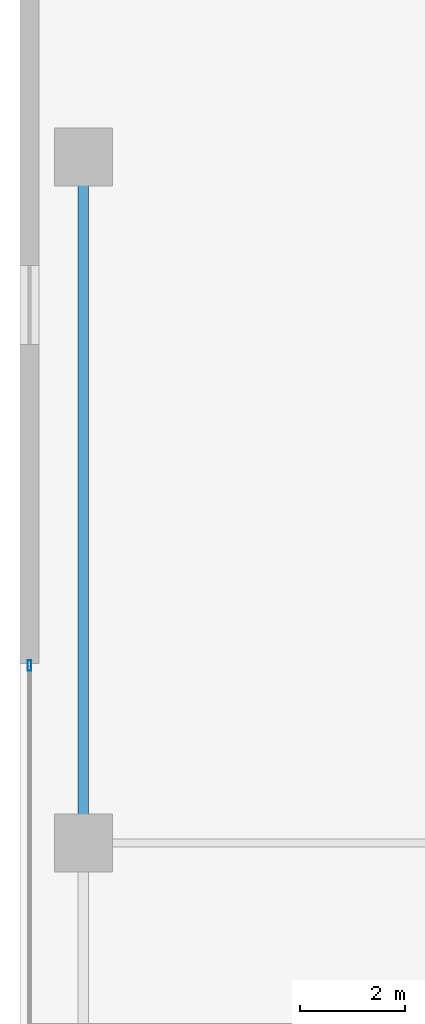
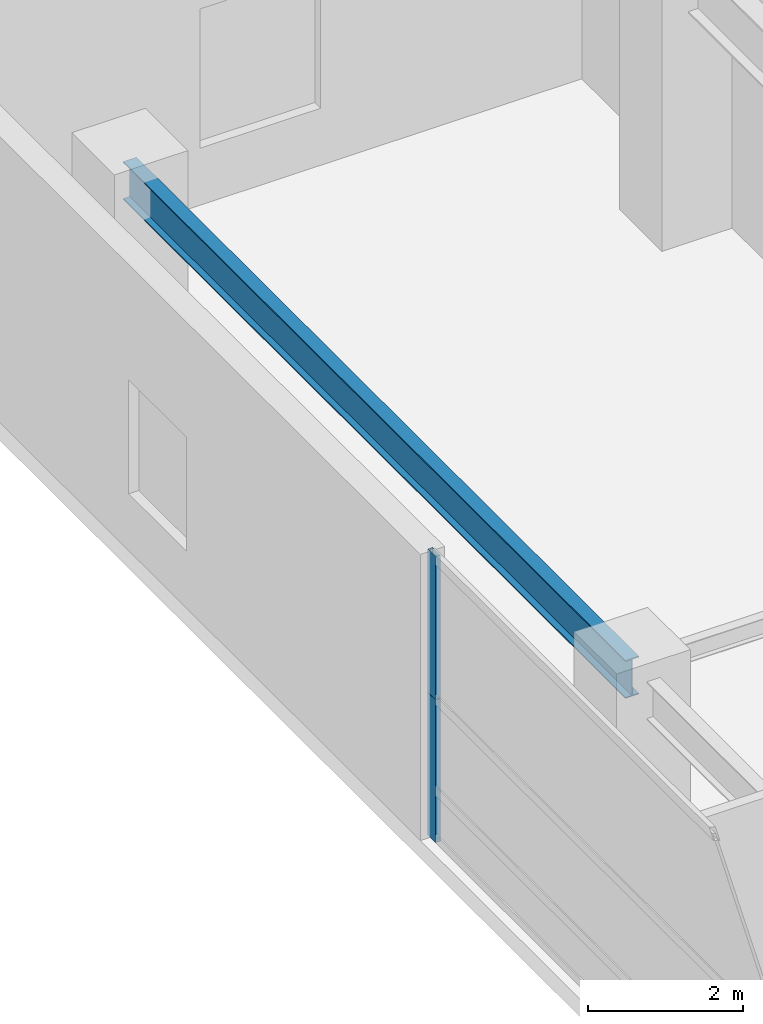
# One storey, part 17 of 38: 2 members, 1 beam, 1 element without a shape of its own.
"""IFC4 building model written with IfcOpenShell, lengths in metres."""

from ifc_helpers import new_model, si_unit, direction, frame, origin, origin_2d, place, context, subcontext, project, spatial, hollow_rectangle, i_section, extrude, source, transform, mapped, material, layer, layer_set, material_profile, profile_set, type_object, element, aggregate, save


model = new_model("IFC4")

# Units and contexts
model_context = context("Model", 3, precision=1e-05, world=origin(), true_north=direction((0.0, 1.0)))
body_context = subcontext(model_context, "Body", "Model", "MODEL_VIEW")
ifc_project = project(units=[si_unit("LENGTHUNIT", "METRE"), si_unit("AREAUNIT", "SQUARE_METRE"), si_unit("VOLUMEUNIT", "CUBIC_METRE"), si_unit("PLANEANGLEUNIT", "RADIAN"), si_unit("MASSUNIT", "GRAM", prefix="KILO"), si_unit("THERMODYNAMICTEMPERATUREUNIT", "KELVIN"), si_unit("POWERUNIT", "WATT")], contexts=[model_context])

# Site, building, storey
site_placement = place(None, origin())
site = spatial("IfcSite", under=ifc_project, at=site_placement, CompositionType="ELEMENT")
building_placement = place(site_placement, origin())
building = spatial("IfcBuilding", under=site, at=building_placement, Name="Yuzanri Waterfront Tower", CompositionType="ELEMENT")
storey_placement = place(building_placement, frame((0.0, 0.0, 10.199951171875)))
storey = spatial("IfcBuildingStorey", under=building, at=storey_placement, Name="L03", CompositionType="ELEMENT", Elevation=10.199951171875)

# Beam
ifc_material_1 = material(Name="Steel Q355B", Category="steel")
ifc_material_profile_1 = material_profile(ifc_material_1, i_section(OverallWidth=0.199951171875, OverallDepth=0.60009765625, WebThickness=0.010986328125, FlangeThickness=0.01708984375, at=origin_2d()), Name="HN 600x200x11x17")
ifc_profile_set_1 = profile_set([ifc_material_profile_1], Name="Steel Q355B")
beam_type = type_object("IfcBeamType", Name="Perimeter Spandrel Q355B HN 600x200", PredefinedType="SPANDREL", material=ifc_profile_set_1)
shared_shape_1 = source(origin(), body_context, "Body", "SweptSolid", [
    extrude(i_section(OverallWidth=0.199951171875, OverallDepth=0.60009765625, WebThickness=0.010986328125, FlangeThickness=0.01708984375, at=origin_2d()), origin(), (0.0, 0.0, 1.0), 13.0),
])
beam_placement = place(storey_placement, frame((3.199951171875, 32.199951171875, 4.219970703125), z_axis=(0.0, 1.0, 0.0), x_axis=(-1.0, 0.0, 0.0)))
element("IfcBeam", 1, at=beam_placement, inside=storey, type_object=beam_type, Name="L03 West Podium Spandrel 3", PredefinedType="SPANDREL", context=body_context, shape_type="MappedRepresentation", body=[
    mapped(shared_shape_1, transform((0.0, 0.0, 0.0), scale=1.0)),
])

# Curtain wall, members
ifc_material_2 = material(Name="Anodized Architectural Bronze", Category="metal")
ifc_layer = layer(ifc_material_2, 0.159912109375)
ifc_layer_set = layer_set([ifc_layer], Name="Anodized Architectural Bronze")
curtain_wall_type = type_object("IfcCurtainWallType", Name="Anodized Bronze Podium Waterfront Double-Height Unitized Curtain Wall 8400", PredefinedType="NOTDEFINED", material=ifc_layer_set)
curtain_wall_placement = place(storey_placement, origin())
curtain_wall = element("IfcCurtainWall", 2, at=curtain_wall_placement, inside=storey, type_object=curtain_wall_type, Name="L03 Curtain Wall CW-L03-W", PredefinedType="NOTDEFINED")
ifc_material_3 = material(Name="Anodized Architectural Bronze", Category="metal")
ifc_material_profile_2 = material_profile(ifc_material_3, hollow_rectangle(XDim=0.074951171875, YDim=0.199951171875, WallThickness=0.00390625, at=origin_2d()), Name="CWM 75x200")
ifc_profile_set_2 = profile_set([ifc_material_profile_2], Name="Anodized Architectural Bronze")
member_type = type_object("IfcMemberType", Name="Anodized Bronze Primary Curtain-Wall Mullion 75x200", PredefinedType="MULLION", material=ifc_profile_set_2)
shared_shape_2 = source(origin(), body_context, "Body", "SweptSolid", [
    extrude(hollow_rectangle(XDim=0.074951171875, YDim=0.199951171875, WallThickness=0.00390625, at=origin_2d()), origin(), (0.0, 0.0, 1.0), 2.258056640625),
])
member_1_placement = place(storey_placement, frame((2.179931640625, 35.56005859375, 0.0), z_axis=(0.0, 0.0, 1.0), x_axis=(1.0, 0.0, 0.0)))
member_1 = element("IfcMember", 3, at=member_1_placement, type_object=member_type, Name="CW-L03-W Lower Mullion 02", PredefinedType="MULLION", context=body_context, shape_type="MappedRepresentation", body=[
    mapped(shared_shape_2, transform((0.0, 0.0, 0.0), scale=1.0)),
])
member_2_placement = place(storey_placement, frame((2.179931640625, 35.56005859375, 2.261962890625), z_axis=(0.0, 0.0, 1.0), x_axis=(1.0, 0.0, 0.0)))
member_2 = element("IfcMember", 4, at=member_2_placement, type_object=member_type, Name="CW-L03-W Upper Mullion 02", PredefinedType="MULLION", context=body_context, shape_type="MappedRepresentation", body=[
    mapped(shared_shape_2, transform((0.0, 0.0, 0.0), scale=1.0)),
])
aggregate(curtain_wall, [member_1, member_2])

save(model, "model.ifc")
